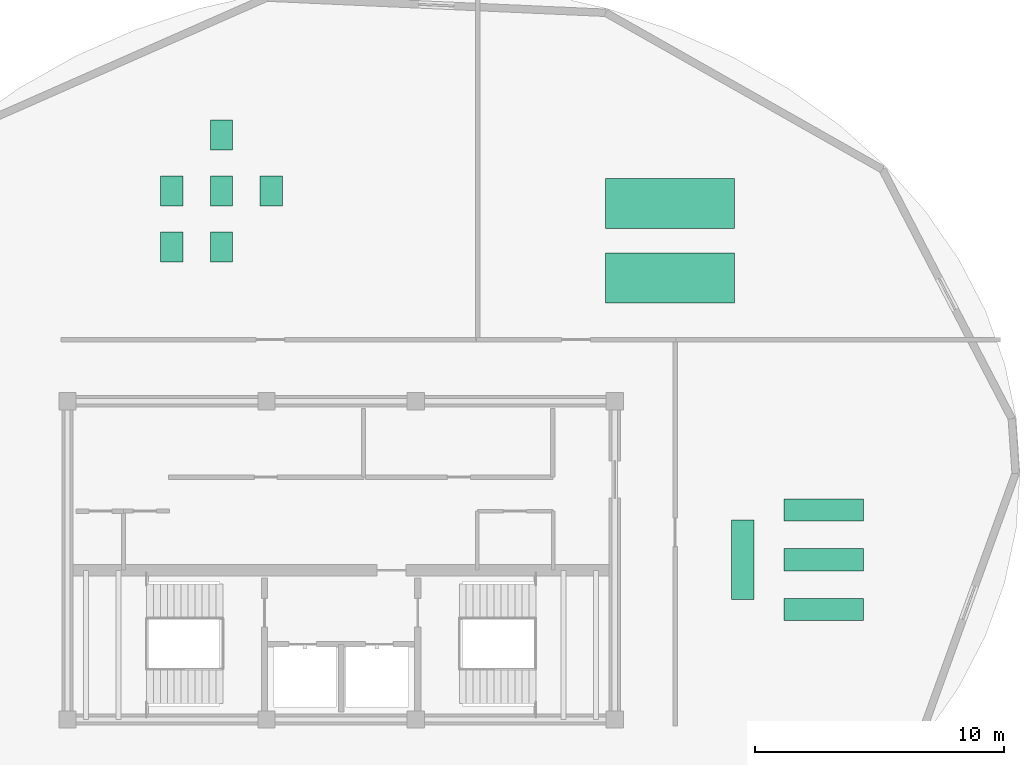
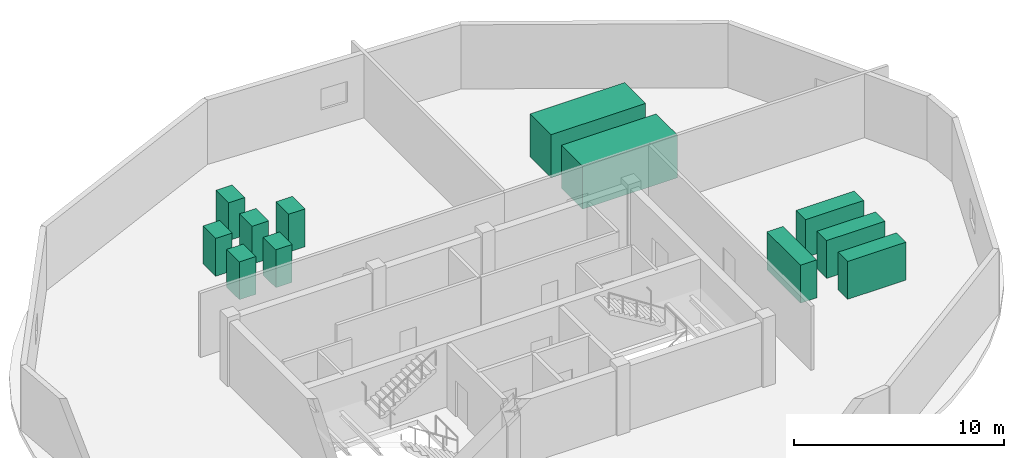
# One storey, part 5 of 5: 6 communications appliances, 4 electric distribution boards, 2 electric generators.
"""IFC4 building model written with IfcOpenShell, lengths in metres."""

import ifcopenshell
import ifcopenshell.guid

model = None  # the IFC model being written
_history = None  # IfcOwnerHistory: only IFC2X3 demands one
_inside = {}  # id of a spatial element -> (the spatial element, [elements in it])
_under = {}  # id of a project, library or spatial element -> (it, [spatial elements below it])
_declared = {}  # id of a project -> (the project, [libraries it declares])
_typed = {}  # id of a type object -> (the type object, [elements of that type])
_made_of = {}  # id of a material, layer set ... -> (it, [elements and type objects made of it])


def new_model(schema):
    """Start an empty IFC model of exactly this schema.

    Asked for "IFC4X3", IfcOpenShell would pick the latest addendum, in which some entities
    have other attributes; the version numbers below select the first issue.
    IFC2X3 requires an IfcOwnerHistory on every rooted entity: one is made here for all.
    """
    global model, _history
    if schema == "IFC4X3":
        model = ifcopenshell.file(schema_version=(4, 3, 0, 0))
    else:
        model = ifcopenshell.file(schema=schema)
    _inside.clear()
    _under.clear()
    _declared.clear()
    _typed.clear()
    _made_of.clear()
    _history = None
    if model.schema == "IFC2X3":
        org = make("IfcOrganization", Name="unknown")
        user = make(
            "IfcPersonAndOrganization",
            ThePerson=make("IfcPerson", FamilyName="unknown"),
            TheOrganization=org,
        )
        app = make(
            "IfcApplication",
            ApplicationDeveloper=org,
            Version="unknown",
            ApplicationFullName="unknown",
            ApplicationIdentifier="unknown",
        )
        _history = make(
            "IfcOwnerHistory",
            OwningUser=user,
            OwningApplication=app,
            ChangeAction="ADDED",
            CreationDate=0,
        )
    return model


def make(cls, **values):
    """One entity of the class cls with the attributes given. An attribute that is None is left unset."""
    return model.create_entity(
        cls, **{name: value for name, value in values.items() if value is not None}
    )


def rooted(cls, **values):
    """An entity with a GlobalId (a new one), such as an element, a storey or a relation."""
    return make(cls, GlobalId=ifcopenshell.guid.new(), OwnerHistory=_history, **values)


def si_unit(unit_type, name, prefix=None):
    """IfcSIUnit, for example si_unit("LENGTHUNIT", "METRE", prefix="MILLI")."""
    return make("IfcSIUnit", UnitType=unit_type, Prefix=prefix, Name=name)


def assignment(units):
    """IfcUnitAssignment: the units of a project."""
    return None if units is None else make("IfcUnitAssignment", Units=units)


def point(xyz):
    """IfcCartesianPoint."""
    return None if xyz is None else make("IfcCartesianPoint", Coordinates=xyz)


def direction(xyz):
    """IfcDirection."""
    return None if xyz is None else make("IfcDirection", DirectionRatios=xyz)


def frame(location, z_axis=None, x_axis=None):
    """IfcAxis2Placement3D, a coordinate frame: its origin and axes. An axis left out is left unset."""
    return make(
        "IfcAxis2Placement3D",
        Location=point(location),
        Axis=direction(z_axis),
        RefDirection=direction(x_axis),
    )


def frame_2d(location, x_axis=None):
    """IfcAxis2Placement2D, a coordinate frame in the plane: its origin and x axis."""
    return make(
        "IfcAxis2Placement2D", Location=point(location), RefDirection=direction(x_axis)
    )


def origin():
    """The frame at (0, 0, 0) with its axes left unset."""
    return frame((0.0, 0.0, 0.0))


def origin_2d():
    """The frame at (0, 0) in the plane with its x axis left unset."""
    return frame_2d((0.0, 0.0))


def place(relative_to, where):
    """IfcLocalPlacement: puts the frame where relative to a parent placement (None: the world)."""
    return make(
        "IfcLocalPlacement", PlacementRelTo=relative_to, RelativePlacement=where
    )


def context(
    kind, dimensions, precision=None, world=None, true_north=None, identifier=None
):
    """IfcGeometricRepresentationContext, for example the 3D "Model" context."""
    return make(
        "IfcGeometricRepresentationContext",
        ContextIdentifier=identifier,
        ContextType=kind,
        CoordinateSpaceDimension=dimensions,
        Precision=precision,
        WorldCoordinateSystem=world,
        TrueNorth=true_north,
    )


def subcontext(parent, identifier, kind, view, scale=None):
    """IfcGeometricRepresentationSubContext, for example "Body" below "Model"."""
    return make(
        "IfcGeometricRepresentationSubContext",
        ContextIdentifier=identifier,
        ContextType=kind,
        ParentContext=parent,
        TargetScale=scale,
        TargetView=view,
    )


def project(units=None, contexts=None):
    """IfcProject with its units and contexts."""
    return rooted(
        "IfcProject",
        Name="project",
        RepresentationContexts=contexts,
        UnitsInContext=assignment(units),
    )


def spatial(cls, under=None, at=None, **own):
    """A site, building, storey or space (cls), placed at a placement, below another one or the project."""
    s = rooted(cls, ObjectPlacement=at, **own)
    if under is not None:
        _under.setdefault(under.id(), (under, []))[1].append(s)
    return s


def profile(cls, at=None, kind="AREA", **sizes):
    """A parametric profile (cls). Its sizes go by their IFC names, for example OverallWidth=200.0."""
    return make(cls, ProfileType=kind, Position=at, **sizes)


def rectangle(**sizes):
    """IfcRectangleProfileDef."""
    return profile("IfcRectangleProfileDef", **sizes)


def extrude(swept, where, along, depth):
    """IfcExtrudedAreaSolid: the profile swept, set in the frame where, extruded along a direction by depth."""
    return make(
        "IfcExtrudedAreaSolid",
        SweptArea=swept,
        Position=where,
        ExtrudedDirection=direction(along),
        Depth=depth,
    )


def shape(context_of_items, identifier, shape_type, items):
    """IfcShapeRepresentation: the items that make up one representation, for example the "Body"."""
    return make(
        "IfcShapeRepresentation",
        ContextOfItems=context_of_items,
        RepresentationIdentifier=identifier,
        RepresentationType=shape_type,
        Items=items,
    )


def material(Name=None, Category=None):
    """IfcMaterial."""
    return make("IfcMaterial", Name=Name, Category=Category)


def made_of(thing, what):
    """Note that an element or type object is made of a material, layer set ...; save() writes the relation."""
    if what is not None:
        _made_of.setdefault(what.id(), (what, []))[1].append(thing)
    return thing


def type_object(cls, material=None, **own):
    """A type object (cls), such as IfcWallType, which elements share."""
    return made_of(rooted(cls, **own), material)


def element(
    cls,
    number,
    at=None,
    inside=None,
    cuts=None,
    type_object=None,
    material=None,
    context=None,
    identifier="Body",
    shape_type=None,
    held_by="IfcProductDefinitionShape",
    body=None,
    shapes=None,
    **own,
):
    """One element of the class cls, such as IfcWall. Its Tag is "e" and its number.

    at: its placement. inside: the storey or other place that contains it. cuts: it is an
    opening in that element (IfcRelVoidsElement). A single representation is given by context,
    identifier, shape_type and body (its items); several are given by shapes. held_by: the class
    of the entity that holds the representations. save() writes the other relations.
    """
    e = rooted(cls, Tag="e%d" % number, ObjectPlacement=at, **own)
    if body is not None:
        shapes = [shape(context, identifier, shape_type, body)]
    if shapes is not None:
        e.Representation = make(held_by, Representations=shapes)
    if inside is not None:
        _inside.setdefault(inside.id(), (inside, []))[1].append(e)
    if cuts is not None:
        rooted(
            "IfcRelVoidsElement", RelatingBuildingElement=cuts, RelatedOpeningElement=e
        )
    if type_object is not None:
        _typed.setdefault(type_object.id(), (type_object, []))[1].append(e)
    return made_of(e, material)


def aggregate(whole, parts):
    """IfcRelAggregates: a whole, such as a stair, and the parts it consists of."""
    return rooted("IfcRelAggregates", RelatingObject=whole, RelatedObjects=parts)


def save(model, path):
    """Write the relations noted so far, then the file.

    IfcRelAggregates (storeys below a building ...), IfcRelContainedInSpatialStructure (elements
    in a storey), IfcRelDefinesByType, IfcRelAssociatesMaterial and IfcRelDeclares: one each for
    every whole, place, type object, material and project.
    """
    for whole, parts in _under.values():
        aggregate(whole, parts)
    for where, things in _inside.values():
        rooted(
            "IfcRelContainedInSpatialStructure",
            RelatedElements=things,
            RelatingStructure=where,
        )
    for kind, things in _typed.values():
        rooted("IfcRelDefinesByType", RelatedObjects=things, RelatingType=kind)
    for what, things in _made_of.values():
        rooted("IfcRelAssociatesMaterial", RelatedObjects=things, RelatingMaterial=what)
    for by, libraries in _declared.values():
        rooted("IfcRelDeclares", RelatingContext=by, RelatedDefinitions=libraries)
    model.write(path)


model = new_model("IFC4")

# Units and contexts
model_context = context("Model", 3, precision=1e-05, world=origin(), true_north=direction((0.0, 1.0)))
body_context = subcontext(model_context, "Body", "Model", "MODEL_VIEW")
ifc_project = project(units=[si_unit("LENGTHUNIT", "METRE"), si_unit("AREAUNIT", "SQUARE_METRE"), si_unit("VOLUMEUNIT", "CUBIC_METRE"), si_unit("PLANEANGLEUNIT", "RADIAN"), si_unit("MASSUNIT", "GRAM", prefix="KILO")], contexts=[model_context])

# Site, building, storey
site_placement = place(None, origin())
site = spatial("IfcSite", under=ifc_project, at=site_placement, CompositionType="ELEMENT")
building_placement = place(site_placement, origin())
building = spatial("IfcBuilding", under=site, at=building_placement, Name="Kazevale Care Tower and Concert Hall", CompositionType="ELEMENT")
storey_placement = place(building_placement, frame((0.0, 0.0, 304.800048828125)))
storey = spatial("IfcBuildingStorey", under=building, at=storey_placement, Name="L80", CompositionType="ELEMENT", Elevation=304.800048828125)

# Communications appliances
ifc_material_1 = material(Name="Aluminium 6063-T6", Category="aluminium")
communications_appliance_type = type_object("IfcCommunicationsApplianceType", Name="Broadcast Transmitter Cabinet 900x1200", PredefinedType="USERDEFINED", material=ifc_material_1)
for number, where, z_axis, x_axis, name in (
    (1, (28.19091796875, 44.85009765625, 0.0), (0.0, 0.0, 1.0), (1.0, 0.0, 0.0), "Broadcast Transmitter Cabinet L80-1"),
    (2, (26.19091796875, 44.85009765625, 0.0), (0.0, 0.0, 1.0), (1.0, 0.0, 0.0), "Broadcast Transmitter Cabinet L80-2"),
    (3, (30.19091796875, 44.85009765625, 0.0), (0.0, 0.0, 1.0), (1.0, 0.0, 0.0), "Broadcast Transmitter Cabinet L80-3"),
    (4, (28.19091796875, 42.60009765625, 0.0), (0.0, 0.0, 1.0), (1.0, 0.0, 0.0), "Broadcast Transmitter Cabinet L80-4"),
    (5, (28.19091796875, 47.10009765625, 0.0), (0.0, 0.0, 1.0), (1.0, 0.0, 0.0), "Broadcast Transmitter Cabinet L80-5"),
    (6, (26.19091796875, 42.60009765625, 0.0), (0.0, 0.0, 1.0), (1.0, 0.0, 0.0), "Broadcast Transmitter Cabinet L80-6"),
):
    element("IfcCommunicationsAppliance", number, at=place(storey_placement, frame(where, z_axis=z_axis, x_axis=x_axis)), inside=storey, type_object=communications_appliance_type, Name=name, ObjectType="TRANSMITTER CABINET", PredefinedType="USERDEFINED", context=body_context, shape_type="SweptSolid", body=[
        extrude(rectangle(XDim=0.89990234375, YDim=1.199951171875, at=origin_2d()), origin(), (0.0, 0.0, 1.0), 2.199951171875),
    ])

# Electric distribution boards
electric_distribution_board_type = type_object("IfcElectricDistributionBoardType", Name="Crown Switchgear Board 3200x900", PredefinedType="SWITCHBOARD", material=ifc_material_1)
for number, where, z_axis, x_axis, name in (
    (7, (52.39990234375, 30.02392578125, 0.0), (0.0, 0.0, 1.0), (1.0, 0.0, 0.0), "Crown Switchgear Board L80-1"),
    (8, (52.39990234375, 28.02392578125, 0.0), (0.0, 0.0, 1.0), (1.0, 0.0, 0.0), "Crown Switchgear Board L80-2"),
    (9, (52.39990234375, 32.02392578125, 0.0), (0.0, 0.0, 1.0), (1.0, 0.0, 0.0), "Crown Switchgear Board L80-3"),
    (10, (49.14990234375, 30.02392578125, 0.0), (0.0, 0.0, 1.0), (0.0, 1.0, 0.0), "Crown Switchgear Board L80-4"),
):
    element("IfcElectricDistributionBoard", number, at=place(storey_placement, frame(where, z_axis=z_axis, x_axis=x_axis)), inside=storey, type_object=electric_distribution_board_type, Name=name, PredefinedType="SWITCHBOARD", context=body_context, shape_type="SweptSolid", body=[
        extrude(rectangle(XDim=3.199951171875, YDim=0.89990234375, at=origin_2d()), origin(), (0.0, 0.0, 1.0), 2.199951171875),
    ])

# Electric generators
ifc_material_2 = material(Name="Stainless Steel 316", Category="steel")
electric_generator_type = type_object("IfcElectricGeneratorType", Name="Emergency Generator Set 1500 kVA 5200x2000", PredefinedType="ENGINEGENERATOR", material=ifc_material_2)
for number, where, z_axis, x_axis, name in (
    (11, (46.22509765625, 44.35009765625, 0.0), (0.0, 0.0, 1.0), (1.0, 0.0, 0.0), "Emergency Generator Set L80-1"),
    (12, (46.22509765625, 41.35009765625, 0.0), (0.0, 0.0, 1.0), (1.0, 0.0, 0.0), "Emergency Generator Set L80-2"),
):
    element("IfcElectricGenerator", number, at=place(storey_placement, frame(where, z_axis=z_axis, x_axis=x_axis)), inside=storey, type_object=electric_generator_type, Name=name, PredefinedType="ENGINEGENERATOR", context=body_context, shape_type="SweptSolid", body=[
        extrude(rectangle(XDim=5.199951171875, YDim=2.0, at=origin_2d()), origin(), (0.0, 0.0, 1.0), 2.5),
    ])

save(model, "model.ifc")
